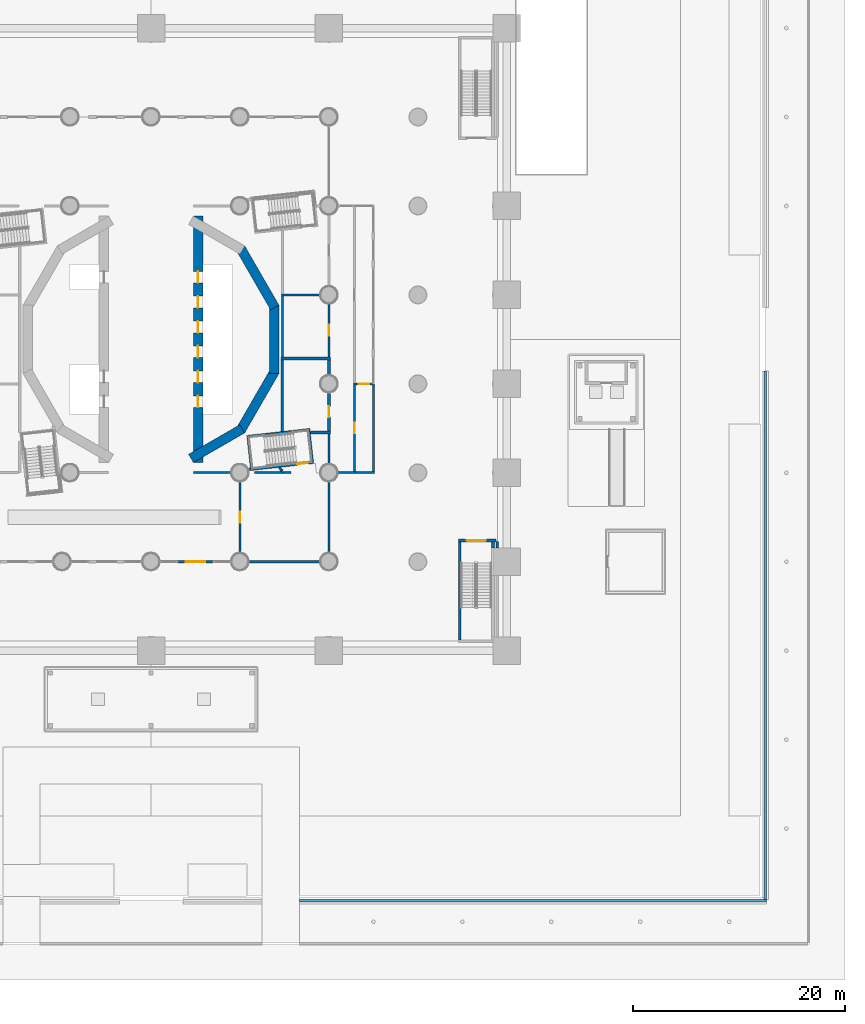
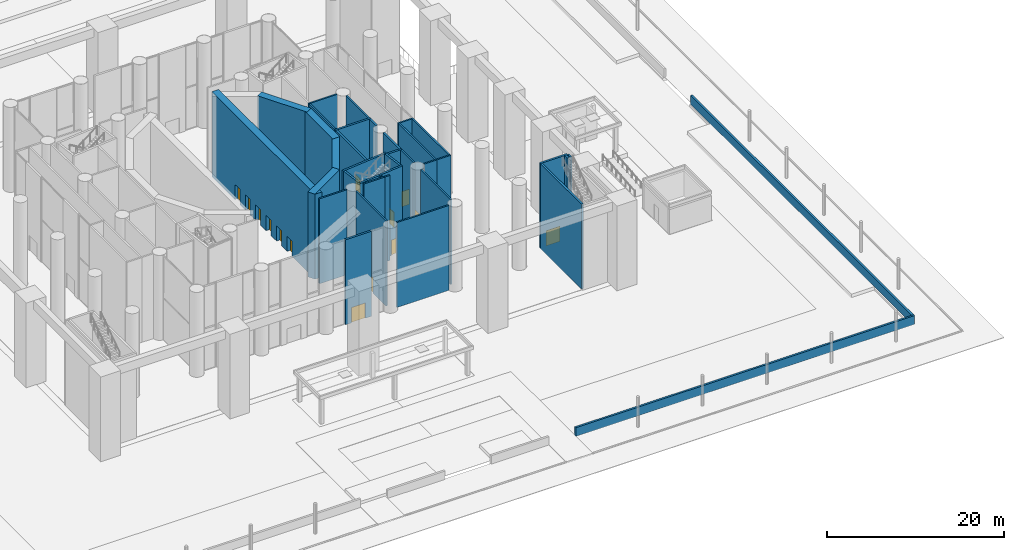
# One storey, part 14 of 52: 37 walls, 14 doors, 14 openings.
"""IFC4 building model written with IfcOpenShell, lengths in metres."""

from ifc_helpers import new_model, si_unit, direction, frame, frame_2d, origin, place, context, subcontext, project, spatial, rectangle, extrude, material, layer, layer_set, type_object, element, fill, save


model = new_model("IFC4")

# Units and contexts
model_context = context("Model", 3, precision=1e-05, world=origin(), true_north=direction((0.0, 1.0)))
body_context = subcontext(model_context, "Body", "Model", "MODEL_VIEW")
ifc_project = project(units=[si_unit("LENGTHUNIT", "METRE"), si_unit("AREAUNIT", "SQUARE_METRE"), si_unit("VOLUMEUNIT", "CUBIC_METRE"), si_unit("PLANEANGLEUNIT", "RADIAN"), si_unit("MASSUNIT", "GRAM", prefix="KILO")], contexts=[model_context])

# Site, building, storey
site_placement = place(None, origin())
site = spatial("IfcSite", under=ifc_project, at=site_placement, CompositionType="ELEMENT")
building_placement = place(site_placement, origin())
building = spatial("IfcBuilding", under=site, at=building_placement, Name="Cantera Rosa Tower", CompositionType="ELEMENT")
storey_placement = place(building_placement, origin())
storey = spatial("IfcBuildingStorey", under=building, at=storey_placement, Name="L00", CompositionType="ELEMENT", Elevation=0.0)

# Walls
ifc_material_1 = material(Name="Masonry blockwork", Category="masonry")
ifc_layer_1 = layer(ifc_material_1, 0.199951171875)
ifc_layer_set_1 = layer_set([ifc_layer_1], Name="Blockwork partition 200")
wall_type_1 = type_object("IfcWallType", Name="Blockwork partition 200", PredefinedType="PARTITIONING", material=ifc_layer_set_1)
wall_1_placement = place(storey_placement, frame((4.0, -12.57666015625, 0.0), z_axis=(0.0, 0.0, 1.0), x_axis=(1.0, 0.0, 0.0)))
element("IfcWall", 1, at=wall_1_placement, inside=storey, type_object=wall_type_1, Name="Partition L00-5", PredefinedType="PARTITIONING", context=body_context, shape_type="SweptSolid", body=[
    extrude(rectangle(XDim=3.60009765625, YDim=0.199951171875, at=frame_2d((1.800048828125, 0.0))), origin(), (0.0, 0.0, 1.0), 11.699951171875),
])
wall_2_placement = place(storey_placement, frame((9.768798828125, -12.57666015625, 0.0), z_axis=(0.0, 0.0, 1.0), x_axis=(1.0, 0.0, 0.0)))
element("IfcWall", 2, at=wall_2_placement, inside=storey, type_object=wall_type_1, Name="Partition L00-6", PredefinedType="PARTITIONING", context=body_context, shape_type="SweptSolid", body=[
    extrude(rectangle(XDim=2.731201171875, YDim=0.199951171875, at=frame_2d((1.36572265625, 0.0))), origin(), (0.0, 0.0, 1.0), 11.699951171875),
])
wall_3_placement = place(storey_placement, frame((12.5, -12.57666015625, 0.0), z_axis=(0.0, 0.0, 1.0), x_axis=(1.0, 0.0, 0.0)))
element("IfcWall", 3, at=wall_3_placement, inside=storey, type_object=wall_type_1, Name="Partition L00-7", PredefinedType="PARTITIONING", context=body_context, shape_type="SweptSolid", body=[
    extrude(rectangle(XDim=0.69873046875, YDim=0.199951171875, at=frame_2d((0.349365234375, 0.0))), origin(), (0.0, 0.0, 1.0), 11.699951171875),
])
wall_4_placement = place(storey_placement, frame((17.60009765625, -12.57666015625, 0.0), z_axis=(0.0, 0.0, 1.0), x_axis=(1.0, 0.0, 0.0)))
element("IfcWall", 4, at=wall_4_placement, inside=storey, type_object=wall_type_1, Name="Partition L00-8", PredefinedType="PARTITIONING", context=body_context, shape_type="SweptSolid", body=[
    extrude(rectangle(XDim=1.699951171875, YDim=0.199951171875, at=frame_2d((0.85009765625, 0.0))), origin(), (0.0, 0.0, 1.0), 11.699951171875),
])
wall_5_placement = place(storey_placement, frame((19.300048828125, -12.57666015625, 0.0), z_axis=(0.0, 0.0, 1.0), x_axis=(1.0, 0.0, 0.0)))
element("IfcWall", 5, at=wall_5_placement, inside=storey, type_object=wall_type_1, Name="Partition L00-9", PredefinedType="PARTITIONING", context=body_context, shape_type="SweptSolid", body=[
    extrude(rectangle(XDim=1.800048828125, YDim=0.199951171875, at=frame_2d((0.89990234375, 0.0))), origin(), (0.0, 0.0, 1.0), 11.699951171875),
])
wall_6_placement = place(storey_placement, frame((12.36474609375, -12.427978515625, 0.0), z_axis=(0.0, 0.0, 1.0), x_axis=(-0.586657106045, 0.809835440029, 0.0)))
element("IfcWall", 6, at=wall_6_placement, inside=storey, type_object=wall_type_1, Name="Partition L00-21", PredefinedType="PARTITIONING", context=body_context, shape_type="SweptSolid", body=[
    extrude(rectangle(XDim=0.412353515625, YDim=0.199951171875, at=frame_2d((0.2060546875, 0.0))), origin(), (0.0, 0.0, 1.0), 11.699951171875),
])
wall_7_placement = place(storey_placement, frame((12.39990234375, -1.675048828125, 0.0), z_axis=(0.0, 0.0, 1.0), x_axis=(0.0, 1.0, 0.0)))
element("IfcWall", 7, at=wall_7_placement, inside=storey, type_object=wall_type_1, Name="Partition L00-23", PredefinedType="PARTITIONING", context=body_context, shape_type="SweptSolid", body=[
    extrude(rectangle(XDim=5.775146484375, YDim=0.199951171875, at=frame_2d((2.8876953125, 0.0))), origin(), (0.0, 0.0, 1.0), 11.699951171875),
])
wall_8_placement = place(storey_placement, frame((16.800048828125, -20.199951171875, 0.0), z_axis=(0.0, 0.0, 1.0), x_axis=(0.0, 1.0, 0.0)))
element("IfcWall", 8, at=wall_8_placement, inside=storey, type_object=wall_type_1, Name="Partition L00-28", PredefinedType="PARTITIONING", context=body_context, shape_type="SweptSolid", body=[
    extrude(rectangle(XDim=6.800048828125, YDim=0.199951171875, at=frame_2d((3.39990234375, 0.0))), origin(), (0.0, 0.0, 1.0), 11.699951171875),
])
wall_9_placement = place(storey_placement, frame((16.800048828125, -11.800048828125, 0.0), z_axis=(0.0, 0.0, 1.0), x_axis=(0.0, 1.0, 0.0)))
element("IfcWall", 9, at=wall_9_placement, inside=storey, type_object=wall_type_1, Name="Partition L00-29", PredefinedType="PARTITIONING", context=body_context, shape_type="SweptSolid", body=[
    extrude(rectangle(XDim=2.875, YDim=0.199951171875, at=frame_2d((1.4375, 0.0))), origin(), (0.0, 0.0, 1.0), 11.699951171875),
])

# Wall, opening, door
wall_10_placement = place(storey_placement, frame((16.800048828125, -1.675048828125, 0.0), z_axis=(0.0, 0.0, 1.0), x_axis=(0.0, 1.0, 0.0)))
wall_10 = element("IfcWall", 10, at=wall_10_placement, inside=storey, type_object=wall_type_1, Name="Partition L00-32", PredefinedType="PARTITIONING", context=body_context, shape_type="SweptSolid", body=[
    extrude(rectangle(XDim=5.074951171875, YDim=0.199951171875, at=frame_2d((2.53759765625, 0.0))), origin(), (0.0, 0.0, 1.0), 11.699951171875),
])
opening_1_placement = place(wall_10_placement, frame((2.03759765625, 0.0, 0.0)))
opening_1 = element("IfcOpeningElement", 11, at=opening_1_placement, cuts=wall_10, Name="Opening L00-002", PredefinedType="OPENING", context=body_context, shape_type="SweptSolid", body=[
    extrude(rectangle(XDim=1.0, YDim=2.10009765625, at=frame_2d((0.5, 1.050048828125))), frame((0.0, 0.10986328125, 0.0), z_axis=(0.0, -1.0, 0.0), x_axis=(1.0, 0.0, 0.0)), (0.0, 0.0, 1.0), 0.219970703125),
])
ifc_material_2 = material(Name="Timber", Category="wood")
door_type_1 = type_object("IfcDoorType", Name="Door 1000x2100", OperationType="NOTDEFINED", PredefinedType="DOOR", material=ifc_material_2)
door_1_placement = place(opening_1_placement, origin())
door_1 = element("IfcDoor", 12, at=door_1_placement, inside=storey, type_object=door_type_1, Name="Door L00-002", OverallHeight=2.10009765625, OverallWidth=1.0, PredefinedType="DOOR", context=body_context, shape_type="SweptSolid", body=[
    extrude(rectangle(XDim=1.0, YDim=2.10009765625, at=frame_2d((0.5, 1.050048828125))), frame((0.0, 0.02490234375, 0.0), z_axis=(0.0, -1.0, 0.0), x_axis=(1.0, 0.0, 0.0)), (0.0, 0.0, 1.0), 0.050048828125),
])
fill(opening_1, door_1)

wall_11_placement = place(storey_placement, frame((8.39990234375, -20.199951171875, 0.0), z_axis=(0.0, 0.0, 1.0), x_axis=(0.0, 1.0, 0.0)))
wall_11 = element("IfcWall", 13, at=wall_11_placement, inside=storey, type_object=wall_type_1, Name="Partition L00-34", PredefinedType="PARTITIONING", context=body_context, shape_type="SweptSolid", body=[
    extrude(rectangle(XDim=6.800048828125, YDim=0.199951171875, at=frame_2d((3.39990234375, 0.0))), origin(), (0.0, 0.0, 1.0), 11.699951171875),
])
opening_2_placement = place(wall_11_placement, frame((2.89990234375, 0.0, 0.0)))
opening_2 = element("IfcOpeningElement", 14, at=opening_2_placement, cuts=wall_11, Name="Opening L00-011", PredefinedType="OPENING", context=body_context, shape_type="SweptSolid", body=[
    extrude(rectangle(XDim=1.0, YDim=2.10009765625, at=frame_2d((0.5, 1.050048828125))), frame((0.0, 0.10986328125, 0.0), z_axis=(0.0, -1.0, 0.0), x_axis=(1.0, 0.0, 0.0)), (0.0, 0.0, 1.0), 0.219970703125),
])
door_2_placement = place(opening_2_placement, origin())
door_2 = element("IfcDoor", 15, at=door_2_placement, inside=storey, type_object=door_type_1, Name="Door L00-011", OverallHeight=2.10009765625, OverallWidth=1.0, PredefinedType="DOOR", context=body_context, shape_type="SweptSolid", body=[
    extrude(rectangle(XDim=1.0, YDim=2.10009765625, at=frame_2d((0.5, 1.050048828125))), frame((0.0, 0.02490234375, 0.0), z_axis=(0.0, -1.0, 0.0), x_axis=(1.0, 0.0, 0.0)), (0.0, 0.0, 1.0), 0.050048828125),
])
fill(opening_2, door_2)

# Wall
wall_12_placement = place(storey_placement, frame((9.199951171875, -21.0, 0.0), z_axis=(0.0, 0.0, 1.0), x_axis=(1.0, 0.0, 0.0)))
element("IfcWall", 16, at=wall_12_placement, inside=storey, type_object=wall_type_1, Name="Partition L00-35", PredefinedType="PARTITIONING", context=body_context, shape_type="SweptSolid", body=[
    extrude(rectangle(XDim=6.800048828125, YDim=0.199951171875, at=frame_2d((3.39990234375, 0.0))), origin(), (0.0, 0.0, 1.0), 11.699951171875),
])

# Wall, opening, door
wall_13_placement = place(storey_placement, frame((19.199951171875, -12.4765625, 0.0), z_axis=(0.0, 0.0, 1.0), x_axis=(0.0, 1.0, 0.0)))
wall_13 = element("IfcWall", 17, at=wall_13_placement, inside=storey, type_object=wall_type_1, Name="Partition L00-36", PredefinedType="PARTITIONING", context=body_context, shape_type="SweptSolid", body=[
    extrude(rectangle(XDim=8.176513671875, YDim=0.199951171875, at=frame_2d((4.08837890625, 0.0))), origin(), (0.0, 0.0, 1.0), 11.699951171875),
])
opening_3_placement = place(wall_13_placement, frame((3.58837890625, 0.0, 0.0)))
opening_3 = element("IfcOpeningElement", 18, at=opening_3_placement, cuts=wall_13, Name="Opening L00-004", PredefinedType="OPENING", context=body_context, shape_type="SweptSolid", body=[
    extrude(rectangle(XDim=1.0, YDim=2.10009765625, at=frame_2d((0.5, 1.050048828125))), frame((0.0, 0.10986328125, 0.0), z_axis=(0.0, -1.0, 0.0), x_axis=(1.0, 0.0, 0.0)), (0.0, 0.0, 1.0), 0.219970703125),
])
door_3_placement = place(opening_3_placement, origin())
door_3 = element("IfcDoor", 19, at=door_3_placement, inside=storey, type_object=door_type_1, Name="Door L00-004", OverallHeight=2.10009765625, OverallWidth=1.0, PredefinedType="DOOR", context=body_context, shape_type="SweptSolid", body=[
    extrude(rectangle(XDim=1.0, YDim=2.10009765625, at=frame_2d((0.5, 1.050048828125))), frame((0.0, 0.02490234375, 0.0), z_axis=(0.0, -1.0, 0.0), x_axis=(1.0, 0.0, 0.0)), (0.0, 0.0, 1.0), 0.050048828125),
])
fill(opening_3, door_3)

# Walls
wall_14_placement = place(storey_placement, frame((12.300048828125, 4.199951171875, 0.0), z_axis=(0.0, 0.0, 1.0), x_axis=(1.0, 0.0, 0.0)))
element("IfcWall", 20, at=wall_14_placement, inside=storey, type_object=wall_type_1, Name="Partition L00-41", PredefinedType="PARTITIONING", context=body_context, shape_type="SweptSolid", body=[
    extrude(rectangle(XDim=3.699951171875, YDim=0.199951171875, at=frame_2d((1.85009765625, 0.0))), origin(), (0.0, 0.0, 1.0), 11.699951171875),
])
wall_15_placement = place(storey_placement, frame((21.0, -12.4765625, 0.0), z_axis=(0.0, 0.0, 1.0), x_axis=(0.0, 1.0, 0.0)))
element("IfcWall", 21, at=wall_15_placement, inside=storey, type_object=wall_type_1, Name="Partition L00-42", PredefinedType="PARTITIONING", context=body_context, shape_type="SweptSolid", body=[
    extrude(rectangle(XDim=8.176513671875, YDim=0.199951171875, at=frame_2d((4.08837890625, 0.0))), origin(), (0.0, 0.0, 1.0), 11.699951171875),
])

# Wall, opening, door
wall_16_placement = place(storey_placement, frame((19.10009765625, -4.199951171875, 0.0), z_axis=(0.0, 0.0, 1.0), x_axis=(1.0, 0.0, 0.0)))
wall_16 = element("IfcWall", 22, at=wall_16_placement, inside=storey, type_object=wall_type_1, Name="Partition L00-45", PredefinedType="PARTITIONING", context=body_context, shape_type="SweptSolid", body=[
    extrude(rectangle(XDim=2.0, YDim=0.199951171875, at=frame_2d((1.0, 0.0))), origin(), (0.0, 0.0, 1.0), 11.699951171875),
])
opening_4_placement = place(wall_16_placement, frame((0.5, 0.0, 0.0)))
opening_4 = element("IfcOpeningElement", 23, at=opening_4_placement, cuts=wall_16, Name="Opening L00-012", PredefinedType="OPENING", context=body_context, shape_type="SweptSolid", body=[
    extrude(rectangle(XDim=1.0, YDim=2.10009765625, at=frame_2d((0.5, 1.050048828125))), frame((0.0, 0.10986328125, 0.0), z_axis=(0.0, -1.0, 0.0), x_axis=(1.0, 0.0, 0.0)), (0.0, 0.0, 1.0), 0.219970703125),
])
door_4_placement = place(opening_4_placement, origin())
door_4 = element("IfcDoor", 24, at=door_4_placement, inside=storey, type_object=door_type_1, Name="Door L00-012", OverallHeight=2.10009765625, OverallWidth=1.0, PredefinedType="DOOR", context=body_context, shape_type="SweptSolid", body=[
    extrude(rectangle(XDim=1.0, YDim=2.10009765625, at=frame_2d((0.5, 1.050048828125))), frame((0.0, 0.02490234375, 0.0), z_axis=(0.0, -1.0, 0.0), x_axis=(1.0, 0.0, 0.0)), (0.0, 0.0, 1.0), 0.050048828125),
])
fill(opening_4, door_4)

# Walls
wall_17_placement = place(storey_placement, frame((32.699951171875, -19.699951171875, 0.0), z_axis=(0.0, 0.0, 1.0), x_axis=(0.0, 1.0, 0.0)))
element("IfcWall", 25, at=wall_17_placement, inside=storey, type_object=wall_type_1, Name="Partition L00-60", PredefinedType="PARTITIONING", context=body_context, shape_type="SweptSolid", body=[
    extrude(rectangle(XDim=0.599853515625, YDim=0.199951171875, at=frame_2d((0.2998046875, 0.0))), origin(), (0.0, 0.0, 1.0), 11.699951171875),
])
ifc_material_3 = material(Name="Concrete C70/85", Category="concrete")
ifc_layer_2 = layer(ifc_material_3, 0.89990234375)
ifc_layer_set_2 = layer_set([ifc_layer_2], Name="Drum wall 900")
wall_type_2 = type_object("IfcWallType", Name="Drum wall 900", PredefinedType="SHEAR", material=ifc_layer_set_2)
wall_18_placement = place(storey_placement, frame((8.44921875, 8.61376953125, 0.0), z_axis=(0.0, 0.0, 1.0), x_axis=(0.499990282633, -0.866031014036, 0.0)))
element("IfcWall", 26, at=wall_18_placement, inside=storey, type_object=wall_type_2, Name="Drum wall east 2 L00", PredefinedType="SHEAR", context=body_context, shape_type="SweptSolid", body=[
    extrude(rectangle(XDim=6.470458984375, YDim=0.89990234375, at=frame_2d((3.2353515625, 0.0))), origin(), (0.0, 0.0, 1.0), 11.699951171875),
])
wall_19_placement = place(storey_placement, frame((11.6240234375, 3.2353515625, 0.0), z_axis=(0.0, 0.0, 1.0), x_axis=(0.0, -1.0, 0.0)))
element("IfcWall", 27, at=wall_19_placement, inside=storey, type_object=wall_type_2, Name="Drum wall east 3 L00", PredefinedType="SHEAR", context=body_context, shape_type="SweptSolid", body=[
    extrude(rectangle(XDim=6.470703125, YDim=0.89990234375, at=frame_2d((3.2353515625, 0.0))), origin(), (0.0, 0.0, 1.0), 11.699951171875),
])
wall_20_placement = place(storey_placement, frame((11.684326171875, -3.01025390625, 0.0), z_axis=(0.0, 0.0, 1.0), x_axis=(-0.499990282633, -0.866031014036, 0.0)))
element("IfcWall", 28, at=wall_20_placement, inside=storey, type_object=wall_type_2, Name="Drum wall east 4 L00", PredefinedType="SHEAR", context=body_context, shape_type="SweptSolid", body=[
    extrude(rectangle(XDim=6.470458984375, YDim=0.89990234375, at=frame_2d((3.2353515625, 0.0))), origin(), (0.0, 0.0, 1.0), 11.699951171875),
])
wall_21_placement = place(storey_placement, frame((8.61376953125, -8.44921875, 0.0), z_axis=(0.0, 0.0, 1.0), x_axis=(-0.866026961591, -0.49999730179, 0.0)))
element("IfcWall", 29, at=wall_21_placement, inside=storey, type_object=wall_type_2, Name="Drum wall east 5 L00", PredefinedType="SHEAR", context=body_context, shape_type="SweptSolid", body=[
    extrude(rectangle(XDim=5.58740234375, YDim=0.89990234375, at=frame_2d((2.793701171875, 0.0))), origin(), (0.0, 0.0, 1.0), 11.699951171875),
])

# Wall, openings, doors
wall_22_placement = place(storey_placement, frame((4.449951171875, -11.632568359375, 0.0), z_axis=(0.0, 0.0, 1.0), x_axis=(0.0, 1.0, 0.0)))
wall_22 = element("IfcWall", 30, at=wall_22_placement, inside=storey, type_object=wall_type_2, Name="Drum wall east 6 L00", PredefinedType="SHEAR", context=body_context, shape_type="SweptSolid", body=[
    extrude(rectangle(XDim=23.26513671875, YDim=0.89990234375, at=frame_2d((11.632568359375, 0.0))), origin(), (0.0, 0.0, 1.0), 11.699951171875),
])
opening_5_placement = place(wall_22_placement, frame((7.5576171875, 0.0, 0.0)))
opening_5 = element("IfcOpeningElement", 31, at=opening_5_placement, cuts=wall_22, Name="Opening LD-FF1-L00", PredefinedType="OPENING", context=body_context, shape_type="SweptSolid", body=[
    extrude(rectangle(XDim=1.10009765625, YDim=2.10009765625, at=frame_2d((0.550048828125, 1.050048828125))), frame((0.0, 0.4599609375, 0.0), z_axis=(0.0, -1.0, 0.0), x_axis=(1.0, 0.0, 0.0)), (0.0, 0.0, 1.0), 0.919921875),
])
opening_6_placement = place(wall_22_placement, frame((9.907470703125, 0.0, 0.0)))
opening_6 = element("IfcOpeningElement", 32, at=opening_6_placement, cuts=wall_22, Name="Opening LD-FF2-L00", PredefinedType="OPENING", context=body_context, shape_type="SweptSolid", body=[
    extrude(rectangle(XDim=1.10009765625, YDim=2.10009765625, at=frame_2d((0.550048828125, 1.050048828125))), frame((0.0, 0.4599609375, 0.0), z_axis=(0.0, -1.0, 0.0), x_axis=(1.0, 0.0, 0.0)), (0.0, 0.0, 1.0), 0.919921875),
])
opening_7_placement = place(wall_22_placement, frame((12.257568359375, 0.0, 0.0)))
opening_7 = element("IfcOpeningElement", 33, at=opening_7_placement, cuts=wall_22, Name="Opening LD-P1-L00", PredefinedType="OPENING", context=body_context, shape_type="SweptSolid", body=[
    extrude(rectangle(XDim=1.10009765625, YDim=2.10009765625, at=frame_2d((0.550048828125, 1.050048828125))), frame((0.0, 0.4599609375, 0.0), z_axis=(0.0, -1.0, 0.0), x_axis=(1.0, 0.0, 0.0)), (0.0, 0.0, 1.0), 0.919921875),
])
opening_8_placement = place(wall_22_placement, frame((14.607421875, 0.0, 0.0)))
opening_8 = element("IfcOpeningElement", 34, at=opening_8_placement, cuts=wall_22, Name="Opening LD-P2-L00", PredefinedType="OPENING", context=body_context, shape_type="SweptSolid", body=[
    extrude(rectangle(XDim=1.10009765625, YDim=2.10009765625, at=frame_2d((0.550048828125, 1.050048828125))), frame((0.0, 0.4599609375, 0.0), z_axis=(0.0, -1.0, 0.0), x_axis=(1.0, 0.0, 0.0)), (0.0, 0.0, 1.0), 0.919921875),
])
opening_9_placement = place(wall_22_placement, frame((5.20751953125, 0.0, 0.0)))
opening_9 = element("IfcOpeningElement", 35, at=opening_9_placement, cuts=wall_22, Name="Opening LD-P6-L00", PredefinedType="OPENING", context=body_context, shape_type="SweptSolid", body=[
    extrude(rectangle(XDim=1.10009765625, YDim=2.10009765625, at=frame_2d((0.550048828125, 1.050048828125))), frame((0.0, 0.4599609375, 0.0), z_axis=(0.0, -1.0, 0.0), x_axis=(1.0, 0.0, 0.0)), (0.0, 0.0, 1.0), 0.919921875),
])
opening_10_placement = place(wall_22_placement, frame((16.95751953125, 0.0, 0.0)))
opening_10 = element("IfcOpeningElement", 36, at=opening_10_placement, cuts=wall_22, Name="Opening LD-PC1-L00", PredefinedType="OPENING", context=body_context, shape_type="SweptSolid", body=[
    extrude(rectangle(XDim=1.10009765625, YDim=2.10009765625, at=frame_2d((0.550048828125, 1.050048828125))), frame((0.0, 0.4599609375, 0.0), z_axis=(0.0, -1.0, 0.0), x_axis=(1.0, 0.0, 0.0)), (0.0, 0.0, 1.0), 0.919921875),
])
ifc_material_4 = material(Name="Steel S355J2 (EN 10025-2)", Category="steel")
door_type_2 = type_object("IfcDoorType", Name="LANDING DOOR 1100x2100", OperationType="NOTDEFINED", PredefinedType="DOOR", material=ifc_material_4)
door_5_placement = place(opening_5_placement, origin())
door_5 = element("IfcDoor", 37, at=door_5_placement, inside=storey, type_object=door_type_2, Name="LANDING DOOR FF1 L00", OperationType="SLIDING_TO_LEFT", OverallHeight=2.10009765625, OverallWidth=1.10009765625, PredefinedType="DOOR", context=body_context, shape_type="SweptSolid", body=[
    extrude(rectangle(XDim=1.10009765625, YDim=2.10009765625, at=frame_2d((0.550048828125, 1.050048828125))), frame((0.0, 0.02490234375, 0.0), z_axis=(0.0, -1.0, 0.0), x_axis=(1.0, 0.0, 0.0)), (0.0, 0.0, 1.0), 0.050048828125),
])
fill(opening_5, door_5)
door_6_placement = place(opening_6_placement, origin())
door_6 = element("IfcDoor", 38, at=door_6_placement, inside=storey, type_object=door_type_2, Name="LANDING DOOR FF2 L00", OperationType="SLIDING_TO_LEFT", OverallHeight=2.10009765625, OverallWidth=1.10009765625, PredefinedType="DOOR", context=body_context, shape_type="SweptSolid", body=[
    extrude(rectangle(XDim=1.10009765625, YDim=2.10009765625, at=frame_2d((0.550048828125, 1.050048828125))), frame((0.0, 0.02490234375, 0.0), z_axis=(0.0, -1.0, 0.0), x_axis=(1.0, 0.0, 0.0)), (0.0, 0.0, 1.0), 0.050048828125),
])
fill(opening_6, door_6)
door_7_placement = place(opening_7_placement, origin())
door_7 = element("IfcDoor", 39, at=door_7_placement, inside=storey, type_object=door_type_2, Name="LANDING DOOR P1 L00", OperationType="SLIDING_TO_LEFT", OverallHeight=2.10009765625, OverallWidth=1.10009765625, PredefinedType="DOOR", context=body_context, shape_type="SweptSolid", body=[
    extrude(rectangle(XDim=1.10009765625, YDim=2.10009765625, at=frame_2d((0.550048828125, 1.050048828125))), frame((0.0, 0.02490234375, 0.0), z_axis=(0.0, -1.0, 0.0), x_axis=(1.0, 0.0, 0.0)), (0.0, 0.0, 1.0), 0.050048828125),
])
fill(opening_7, door_7)
door_8_placement = place(opening_8_placement, origin())
door_8 = element("IfcDoor", 40, at=door_8_placement, inside=storey, type_object=door_type_2, Name="LANDING DOOR P2 L00", OperationType="SLIDING_TO_LEFT", OverallHeight=2.10009765625, OverallWidth=1.10009765625, PredefinedType="DOOR", context=body_context, shape_type="SweptSolid", body=[
    extrude(rectangle(XDim=1.10009765625, YDim=2.10009765625, at=frame_2d((0.550048828125, 1.050048828125))), frame((0.0, 0.02490234375, 0.0), z_axis=(0.0, -1.0, 0.0), x_axis=(1.0, 0.0, 0.0)), (0.0, 0.0, 1.0), 0.050048828125),
])
fill(opening_8, door_8)
door_9_placement = place(opening_9_placement, origin())
door_9 = element("IfcDoor", 41, at=door_9_placement, inside=storey, type_object=door_type_2, Name="LANDING DOOR P6 L00", OperationType="SLIDING_TO_LEFT", OverallHeight=2.10009765625, OverallWidth=1.10009765625, PredefinedType="DOOR", context=body_context, shape_type="SweptSolid", body=[
    extrude(rectangle(XDim=1.10009765625, YDim=2.10009765625, at=frame_2d((0.550048828125, 1.050048828125))), frame((0.0, 0.02490234375, 0.0), z_axis=(0.0, -1.0, 0.0), x_axis=(1.0, 0.0, 0.0)), (0.0, 0.0, 1.0), 0.050048828125),
])
fill(opening_9, door_9)
door_10_placement = place(opening_10_placement, origin())
door_10 = element("IfcDoor", 42, at=door_10_placement, inside=storey, type_object=door_type_2, Name="LANDING DOOR PC1 L00", OperationType="SLIDING_TO_LEFT", OverallHeight=2.10009765625, OverallWidth=1.10009765625, PredefinedType="DOOR", context=body_context, shape_type="SweptSolid", body=[
    extrude(rectangle(XDim=1.10009765625, YDim=2.10009765625, at=frame_2d((0.550048828125, 1.050048828125))), frame((0.0, 0.02490234375, 0.0), z_axis=(0.0, -1.0, 0.0), x_axis=(1.0, 0.0, 0.0)), (0.0, 0.0, 1.0), 0.050048828125),
])
fill(opening_10, door_10)

# Wall, opening, door
ifc_material_5 = material(Name="Masonry blockwork", Category="masonry")
ifc_layer_3 = layer(ifc_material_5, 0.25)
ifc_layer_set_3 = layer_set([ifc_layer_3], Name="Entrance wall 250")
wall_type_3 = type_object("IfcWallType", Name="Entrance wall 250", PredefinedType="PARTITIONING", material=ifc_layer_set_3)
wall_23_placement = place(storey_placement, frame((5.89990234375, -21.0, 0.0), z_axis=(0.0, 0.0, 1.0), x_axis=(-1.0, 0.0, 0.0)))
wall_23 = element("IfcWall", 43, at=wall_23_placement, inside=storey, type_object=wall_type_3, Name="Entrance wall L00-9", PredefinedType="PARTITIONING", context=body_context, shape_type="SweptSolid", body=[
    extrude(rectangle(XDim=3.39990234375, YDim=0.25, at=frame_2d((1.699951171875, 0.0))), origin(), (0.0, 0.0, 1.0), 11.699951171875),
])
opening_11_placement = place(wall_23_placement, frame((0.800048828125, 0.0, 0.0)))
opening_11 = element("IfcOpeningElement", 44, at=opening_11_placement, cuts=wall_23, Name="Opening L00-E09", PredefinedType="OPENING", context=body_context, shape_type="SweptSolid", body=[
    extrude(rectangle(XDim=1.800048828125, YDim=2.10009765625, at=frame_2d((0.89990234375, 1.050048828125))), frame((0.0, 0.135009765625, 0.0), z_axis=(0.0, -1.0, 0.0), x_axis=(1.0, 0.0, 0.0)), (0.0, 0.0, 1.0), 0.27001953125),
])
ifc_material_6 = material(Name="Glass", Category="glass")
door_type_3 = type_object("IfcDoorType", Name="Glazed entrance door 1800x2100", OperationType="NOTDEFINED", PredefinedType="DOOR", material=ifc_material_6)
door_11_placement = place(opening_11_placement, origin())
door_11 = element("IfcDoor", 45, at=door_11_placement, inside=storey, type_object=door_type_3, Name="Entrance door L00-E09", OperationType="DOUBLE_DOOR_SINGLE_SWING", OverallHeight=2.10009765625, OverallWidth=1.800048828125, PredefinedType="DOOR", context=body_context, shape_type="SweptSolid", body=[
    extrude(rectangle(XDim=1.800048828125, YDim=2.10009765625, at=frame_2d((0.89990234375, 1.050048828125))), frame((0.0, 0.02490234375, 0.0), z_axis=(0.0, -1.0, 0.0), x_axis=(1.0, 0.0, 0.0)), (0.0, 0.0, 1.0), 0.050048828125),
])
fill(opening_11, door_11)

# Wall
ifc_material_7 = material(Name="Masonry blockwork", Category="masonry")
ifc_layer_4 = layer(ifc_material_7, 0.25)
ifc_layer_set_4 = layer_set([ifc_layer_4], Name="Fire-rated wall 250")
wall_type_4 = type_object("IfcWallType", Name="Fire-rated wall 250", PredefinedType="PARTITIONING", material=ifc_layer_set_4)
wall_24_placement = place(storey_placement, frame((12.39990234375, -8.6923828125, 0.0), z_axis=(0.0, 0.0, 1.0), x_axis=(0.0, 1.0, 0.0)))
element("IfcWall", 46, at=wall_24_placement, inside=storey, type_object=wall_type_4, Name="Fire wall L00-22", PredefinedType="PARTITIONING", context=body_context, shape_type="SweptSolid", body=[
    extrude(rectangle(XDim=6.767333984375, YDim=0.25, at=frame_2d((3.3837890625, 0.0))), origin(), (0.0, 0.0, 1.0), 11.699951171875),
])

# Wall, opening, door
wall_25_placement = place(storey_placement, frame((16.800048828125, -8.675048828125, 0.0), z_axis=(0.0, 0.0, 1.0), x_axis=(0.0, 1.0, 0.0)))
wall_25 = element("IfcWall", 47, at=wall_25_placement, inside=storey, type_object=wall_type_4, Name="Fire wall L00-30", PredefinedType="PARTITIONING", context=body_context, shape_type="SweptSolid", body=[
    extrude(rectangle(XDim=3.675048828125, YDim=0.25, at=frame_2d((1.83740234375, 0.0))), origin(), (0.0, 0.0, 1.0), 11.699951171875),
])
opening_12_placement = place(wall_25_placement, frame((1.33740234375, 0.0, 0.0)))
opening_12 = element("IfcOpeningElement", 48, at=opening_12_placement, cuts=wall_25, Name="Opening L00-001", PredefinedType="OPENING", context=body_context, shape_type="SweptSolid", body=[
    extrude(rectangle(XDim=1.0, YDim=2.10009765625, at=frame_2d((0.5, 1.050048828125))), frame((0.0, 0.135009765625, 0.0), z_axis=(0.0, -1.0, 0.0), x_axis=(1.0, 0.0, 0.0)), (0.0, 0.0, 1.0), 0.27001953125),
])
ifc_material_8 = material(Name="Steel S355J2 (EN 10025-2)", Category="steel")
door_type_4 = type_object("IfcDoorType", Name="Fire door 1000x2100 EI 120", OperationType="NOTDEFINED", PredefinedType="DOOR", material=ifc_material_8)
door_12_placement = place(opening_12_placement, origin())
door_12 = element("IfcDoor", 49, at=door_12_placement, inside=storey, type_object=door_type_4, Name="Door L00-001", OverallHeight=2.10009765625, OverallWidth=1.0, PredefinedType="DOOR", context=body_context, shape_type="SweptSolid", body=[
    extrude(rectangle(XDim=1.0, YDim=2.10009765625, at=frame_2d((0.5, 1.050048828125))), frame((0.0, 0.02490234375, 0.0), z_axis=(0.0, -1.0, 0.0), x_axis=(1.0, 0.0, 0.0)), (0.0, 0.0, 1.0), 0.050048828125),
])
fill(opening_12, door_12)

# Walls
wall_26_placement = place(storey_placement, frame((16.800048828125, -3.39990234375, 0.0), z_axis=(0.0, 0.0, 1.0), x_axis=(0.0, 1.0, 0.0)))
element("IfcWall", 50, at=wall_26_placement, inside=storey, type_object=wall_type_4, Name="Fire wall L00-31", PredefinedType="PARTITIONING", context=body_context, shape_type="SweptSolid", body=[
    extrude(rectangle(XDim=1.474853515625, YDim=0.25, at=frame_2d((0.7373046875, 0.0))), origin(), (0.0, 0.0, 1.0), 11.699951171875),
])
wall_27_placement = place(storey_placement, frame((12.27490234375, -1.800048828125, 0.0), z_axis=(0.0, 0.0, 1.0), x_axis=(1.0, 0.0, 0.0)))
element("IfcWall", 51, at=wall_27_placement, inside=storey, type_object=wall_type_4, Name="Fire wall L00-38", PredefinedType="PARTITIONING", context=body_context, shape_type="SweptSolid", body=[
    extrude(rectangle(XDim=4.650146484375, YDim=0.25, at=frame_2d((2.3251953125, 0.0))), origin(), (0.0, 0.0, 1.0), 11.699951171875),
])
ifc_material_9 = material(Name="Concrete C40/50", Category="concrete")
ifc_layer_5 = layer(ifc_material_9, 0.25)
ifc_layer_set_5 = layer_set([ifc_layer_5], Name="Plot boundary wall 250")
wall_type_5 = type_object("IfcWallType", Name="Plot boundary wall 250", PredefinedType="NOTDEFINED", material=ifc_layer_set_5)
wall_28_placement = place(storey_placement, frame((14.0, -53.0, 0.0), z_axis=(0.0, 0.0, 1.0), x_axis=(1.0, 0.0, 0.0)))
element("IfcWall", 52, at=wall_28_placement, inside=storey, type_object=wall_type_5, Name="Plot boundary wall S4", PredefinedType="NOTDEFINED", context=body_context, shape_type="SweptSolid", body=[
    extrude(rectangle(XDim=44.125, YDim=0.25, at=frame_2d((22.0625, 0.0))), origin(), (0.0, 0.0, 1.0), 1.199951171875),
])
wall_29_placement = place(storey_placement, frame((58.0, -52.875, 0.0), z_axis=(0.0, 0.0, 1.0), x_axis=(0.0, 1.0, 0.0)))
element("IfcWall", 53, at=wall_29_placement, inside=storey, type_object=wall_type_5, Name="Plot boundary wall E1", PredefinedType="NOTDEFINED", context=body_context, shape_type="SweptSolid", body=[
    extrude(rectangle(XDim=49.875, YDim=0.25, at=frame_2d((24.9375, 0.0))), origin(), (0.0, 0.0, 1.0), 1.199951171875),
])
ifc_material_10 = material(Name="Concrete C50/60", Category="concrete")
ifc_layer_6 = layer(ifc_material_10, 0.25)
ifc_layer_set_6 = layer_set([ifc_layer_6], Name="RC stair wall 250 C50/60")
wall_type_6 = type_object("IfcWallType", Name="RC stair wall 250", PredefinedType="SOLIDWALL", material=ifc_layer_set_6)
wall_30_placement = place(storey_placement, frame((15.040771484375, -8.800048828125, 0.0), z_axis=(0.0, 0.0, 1.0), x_axis=(1.0, 0.0, 0.0)))
element("IfcWall", 54, at=wall_30_placement, inside=storey, type_object=wall_type_6, Name="Fire wall L00-39", PredefinedType="PARTITIONING", context=body_context, shape_type="SweptSolid", body=[
    extrude(rectangle(XDim=1.88427734375, YDim=0.25, at=frame_2d((0.942138671875, 0.0))), origin(), (0.0, 0.0, 1.0), 11.699951171875),
])
wall_31_placement = place(storey_placement, frame((32.300048828125, -19.699951171875, 0.0), z_axis=(0.0, 0.0, 1.0), x_axis=(0.0, 1.0, 0.0)))
element("IfcWall", 55, at=wall_31_placement, inside=storey, type_object=wall_type_6, Name="Stair wall L00-50", PredefinedType="SOLIDWALL", context=body_context, shape_type="SweptSolid", body=[
    extrude(rectangle(XDim=0.574951171875, YDim=0.25, at=frame_2d((0.28759765625, 0.0))), origin(), (0.0, 0.0, 1.0), 11.699951171875),
])
wall_32_placement = place(storey_placement, frame((29.14990234375, -28.375, 0.0), z_axis=(0.0, 0.0, 1.0), x_axis=(0.0, 1.0, 0.0)))
element("IfcWall", 56, at=wall_32_placement, inside=storey, type_object=wall_type_6, Name="Stair wall L00-54", PredefinedType="SOLIDWALL", context=body_context, shape_type="SweptSolid", body=[
    extrude(rectangle(XDim=9.25, YDim=0.25, at=frame_2d((4.625, 0.0))), origin(), (0.0, 0.0, 1.0), 11.699951171875),
])

# Wall, opening, door
wall_33_placement = place(storey_placement, frame((29.02490234375, -19.0, 0.0), z_axis=(0.0, 0.0, 1.0), x_axis=(1.0, 0.0, 0.0)))
wall_33 = element("IfcWall", 57, at=wall_33_placement, inside=storey, type_object=wall_type_6, Name="Stair wall L00-70", PredefinedType="SOLIDWALL", context=body_context, shape_type="SweptSolid", body=[
    extrude(rectangle(XDim=3.5751953125, YDim=0.25, at=frame_2d((1.78759765625, 0.0))), origin(), (0.0, 0.0, 1.0), 11.699951171875),
])
opening_13_placement = place(wall_33_placement, frame((0.800048828125, 0.0, 0.0)))
opening_13 = element("IfcOpeningElement", 58, at=opening_13_placement, cuts=wall_33, Name="Opening L00-017", PredefinedType="OPENING", context=body_context, shape_type="SweptSolid", body=[
    extrude(rectangle(XDim=1.800048828125, YDim=2.10009765625, at=frame_2d((0.89990234375, 1.050048828125))), frame((0.0, 0.135009765625, 0.0), z_axis=(0.0, -1.0, 0.0), x_axis=(1.0, 0.0, 0.0)), (0.0, 0.0, 1.0), 0.27001953125),
])
ifc_material_11 = material(Name="Steel S355J2 (EN 10025-2)", Category="steel")
door_type_5 = type_object("IfcDoorType", Name="Fire double door 1800x2100 EI 120", OperationType="NOTDEFINED", PredefinedType="DOOR", material=ifc_material_11)
door_13_placement = place(opening_13_placement, origin())
door_13 = element("IfcDoor", 59, at=door_13_placement, inside=storey, type_object=door_type_5, Name="Door L00-017", OperationType="DOUBLE_DOOR_SINGLE_SWING", OverallHeight=2.10009765625, OverallWidth=1.800048828125, PredefinedType="DOOR", context=body_context, shape_type="SweptSolid", body=[
    extrude(rectangle(XDim=1.800048828125, YDim=2.10009765625, at=frame_2d((0.89990234375, 1.050048828125))), frame((0.0, 0.02490234375, 0.0), z_axis=(0.0, -1.0, 0.0), x_axis=(1.0, 0.0, 0.0)), (0.0, 0.0, 1.0), 0.050048828125),
])
fill(opening_13, door_13)

# Wall
wall_34_placement = place(storey_placement, frame((14.900390625, -8.66650390625, 0.0), z_axis=(0.0, 0.0, 1.0), x_axis=(0.110243491536, -0.993904609394, 0.0)))
element("IfcWall", 60, at=wall_34_placement, inside=storey, type_object=wall_type_6, Name="Stair wall ST-14 L00-1", PredefinedType="SOLIDWALL", context=body_context, shape_type="SweptSolid", body=[
    extrude(rectangle(XDim=2.85009765625, YDim=0.25, at=frame_2d((1.425048828125, 0.0))), origin(), (0.0, 0.0, 1.0), 11.699951171875),
])

# Wall, opening, door
wall_35_placement = place(storey_placement, frame((15.352783203125, -11.609619140625, 0.0), z_axis=(0.0, 0.0, 1.0), x_axis=(-0.993898486249, -0.110298681005, 0.0)))
wall_35 = element("IfcWall", 61, at=wall_35_placement, inside=storey, type_object=wall_type_6, Name="Stair wall ST-14 L00-2", PredefinedType="SOLIDWALL", context=body_context, shape_type="SweptSolid", body=[
    extrude(rectangle(XDim=6.2529296875, YDim=0.25, at=frame_2d((3.12646484375, 0.0))), origin(), (0.0, 0.0, 1.0), 11.699951171875),
])
opening_14_placement = place(wall_35_placement, frame((0.550048828125, 0.0, 0.0)))
opening_14 = element("IfcOpeningElement", 62, at=opening_14_placement, cuts=wall_35, Name="Opening L00-ST-14", PredefinedType="OPENING", context=body_context, shape_type="SweptSolid", body=[
    extrude(rectangle(XDim=1.0, YDim=2.10009765625, at=frame_2d((0.5, 1.050048828125))), frame((0.0, 0.135009765625, 0.0), z_axis=(0.0, -1.0, 0.0), x_axis=(1.0, 0.0, 0.0)), (0.0, 0.0, 1.0), 0.27001953125),
])
door_14_placement = place(opening_14_placement, origin())
door_14 = element("IfcDoor", 63, at=door_14_placement, inside=storey, type_object=door_type_4, Name="Door L00-ST-14", OverallHeight=2.10009765625, OverallWidth=1.0, PredefinedType="DOOR", context=body_context, shape_type="SweptSolid", body=[
    extrude(rectangle(XDim=1.0, YDim=2.10009765625, at=frame_2d((0.5, 1.050048828125))), frame((0.0, 0.02490234375, 0.0), z_axis=(0.0, -1.0, 0.0), x_axis=(1.0, 0.0, 0.0)), (0.0, 0.0, 1.0), 0.050048828125),
])
fill(opening_14, door_14)

# Walls
wall_36_placement = place(storey_placement, frame((9.499755859375, -12.133544921875, 0.0), z_axis=(0.0, 0.0, 1.0), x_axis=(-0.110328108544, 0.993895220063, 0.0)))
element("IfcWall", 64, at=wall_36_placement, inside=storey, type_object=wall_type_6, Name="Stair wall ST-14 L00-3", PredefinedType="SOLIDWALL", context=body_context, shape_type="SweptSolid", body=[
    extrude(rectangle(XDim=2.85009765625, YDim=0.25, at=frame_2d((1.425048828125, 0.0))), origin(), (0.0, 0.0, 1.0), 11.699951171875),
])
wall_37_placement = place(storey_placement, frame((9.04736328125, -9.1904296875, 0.0), z_axis=(0.0, 0.0, 1.0), x_axis=(0.993897125329, 0.110310943534, 0.0)))
element("IfcWall", 65, at=wall_37_placement, inside=storey, type_object=wall_type_6, Name="Stair wall ST-14 L00-4", PredefinedType="SOLIDWALL", context=body_context, shape_type="SweptSolid", body=[
    extrude(rectangle(XDim=6.0, YDim=0.25, at=frame_2d((3.0, 0.0))), origin(), (0.0, 0.0, 1.0), 11.699951171875),
])

save(model, "model.ifc")
